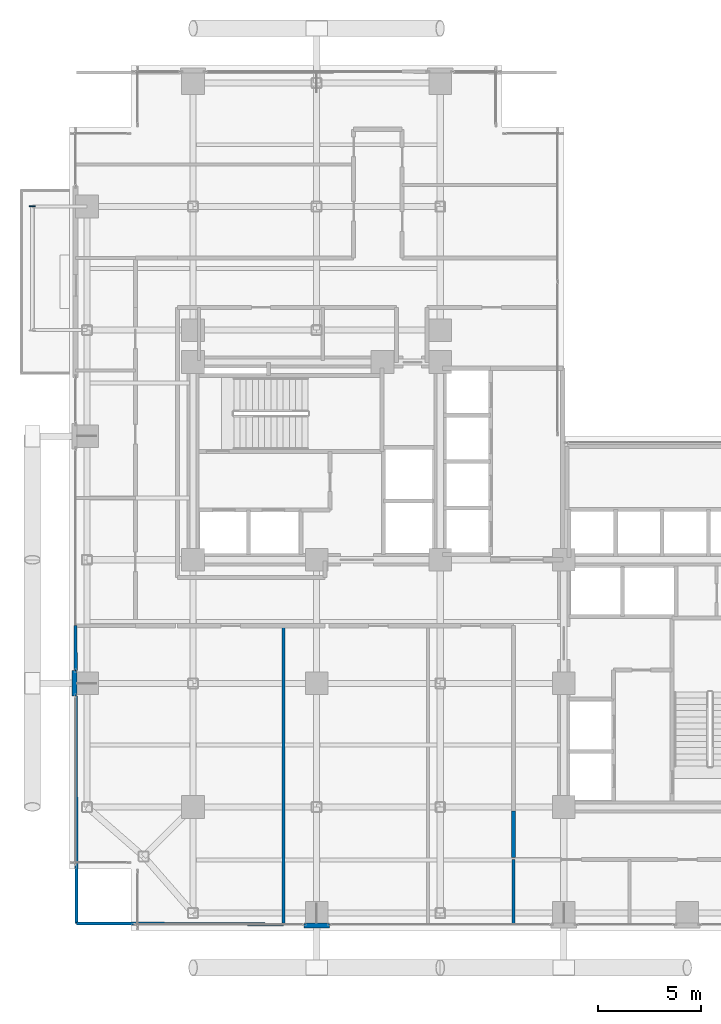
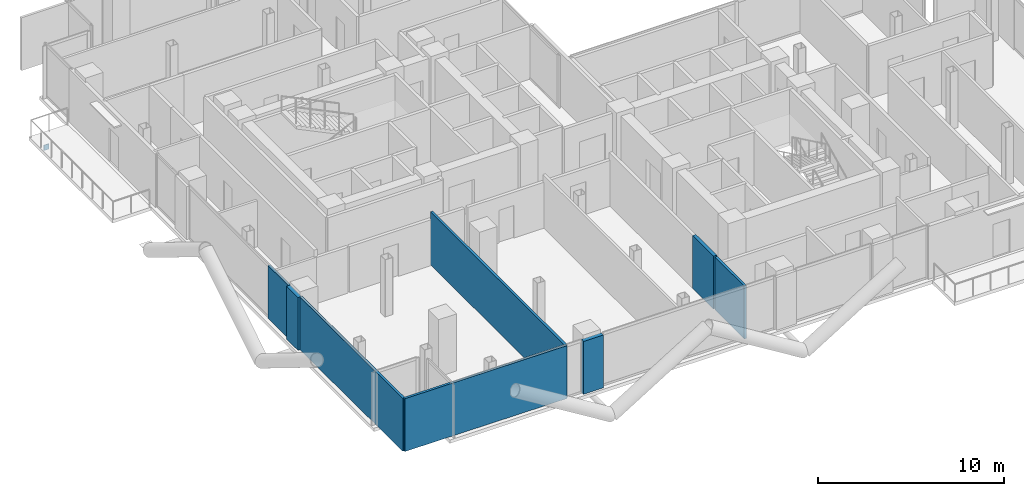
# One storey, part 21 of 28: 8 walls, 1 plate.
"""IFC4 building model written with IfcOpenShell, lengths in metres."""

from ifc_helpers import new_model, si_unit, direction, frame, frame_2d, origin, origin_2d, place, context, subcontext, project, spatial, rectangle, extrude, material, layer, layer_set, type_object, element, save


model = new_model("IFC4")

# Units and contexts
model_context = context("Model", 3, precision=1e-05, world=origin(), true_north=direction((0.0, 1.0)))
body_context = subcontext(model_context, "Body", "Model", "MODEL_VIEW")
ifc_project = project(units=[si_unit("LENGTHUNIT", "METRE"), si_unit("AREAUNIT", "SQUARE_METRE"), si_unit("VOLUMEUNIT", "CUBIC_METRE"), si_unit("PLANEANGLEUNIT", "RADIAN"), si_unit("MASSUNIT", "GRAM", prefix="KILO"), si_unit("THERMODYNAMICTEMPERATUREUNIT", "KELVIN"), si_unit("POWERUNIT", "WATT")], contexts=[model_context])

# Site, building, storey
site_placement = place(None, origin())
site = spatial("IfcSite", under=ifc_project, at=site_placement, CompositionType="ELEMENT")
building_placement = place(site_placement, origin())
building = spatial("IfcBuilding", under=site, at=building_placement, Name="Svarakhadi Broadcast Tower", CompositionType="ELEMENT")
storey_placement = place(building_placement, frame((0.0, 0.0, 107.10009765625)))
storey = spatial("IfcBuildingStorey", under=building, at=storey_placement, Name="L25", CompositionType="ELEMENT", Elevation=107.10009765625)

# Plate
ifc_material_1 = material(Name="Steel S460ML (IS 2062 E450BR)", Category="steel")
ifc_layer_1 = layer(ifc_material_1, 0.028076171875)
ifc_layer_set_1 = layer_set([ifc_layer_1], Name="Steel S460ML (IS 2062 E450BR)")
plate_type = type_object("IfcPlateType", Name="Cap_Plate_CP02", PredefinedType="USERDEFINED", material=ifc_layer_set_1)
plate_placement = place(storey_placement, frame((-1.800048828125, 35.1650390625, -0.55517578125), z_axis=(0.0, 0.0, 1.0), x_axis=(1.0, 0.0, 0.0)))
element("IfcPlate", 1, at=plate_placement, inside=storey, type_object=plate_type, Name="L25 Balcony Spandrel End Cap Plate 2F-B", ObjectType="FLANGE_PLATE", PredefinedType="USERDEFINED", context=body_context, shape_type="SweptSolid", body=[
    extrude(rectangle(XDim=0.300048828125, YDim=0.0400390625, at=origin_2d()), origin(), (0.0, 0.0, 1.0), 0.360107421875),
])

# Walls
ifc_material_2 = material(Name="Double-Stud Acoustic Studio Partition STC-62", Category="gypsum")
ifc_layer_2 = layer(ifc_material_2, 0.199951171875)
ifc_layer_set_2 = layer_set([ifc_layer_2], Name="Double-Stud Acoustic Studio Partition STC-62")
wall_type_1 = type_object("IfcWallType", Name="Wall_Acoust_200", PredefinedType="PARTITIONING", material=ifc_layer_set_2)
wall_1_placement = place(storey_placement, frame((21.550048828125, 3.550048828125, 0.0), z_axis=(0.0, 0.0, 1.0), x_axis=(0.0, 1.0, 0.0)))
element("IfcWall", 2, at=wall_1_placement, inside=storey, type_object=wall_type_1, Name="L25 Broadcast Corridor Wall", PredefinedType="PARTITIONING", context=body_context, shape_type="SweptSolid", body=[
    extrude(rectangle(XDim=2.25, YDim=0.199951171875, at=frame_2d((1.125, 0.0))), origin(), (0.0, 0.0, 1.0), 3.474853515625),
])
ifc_material_3 = material(Name="Concrete C40/50 (IS 456 M50)", Category="concrete")
ifc_layer_3 = layer(ifc_material_3, 0.239990234375)
ifc_layer_set_3 = layer_set([ifc_layer_3], Name="Concrete C40/50 (IS 456 M50)")
wall_type_2 = type_object("IfcWallType", Name="Wall_Ext_240", PredefinedType="SOLIDWALL", material=ifc_layer_set_3)
for number, where, z_axis, x_axis, name in (
    (3, (0.239990234375, 11.385009765625, 0.0), (0.0, 0.0, 1.0), (0.0, 1.0, 0.0), "L25 Perimeter Bronze Spandrel Closure Wall 01"),
    (4, (12.614990234375, 0.239990234375, 0.0), (0.0, 0.0, 1.0), (-1.0, 0.0, 0.0), "L25 Perimeter Bronze Spandrel Closure Wall 08"),
):
    element("IfcWall", number, at=place(storey_placement, frame(where, z_axis=z_axis, x_axis=x_axis)), inside=storey, type_object=wall_type_2, Name=name, PredefinedType="SOLIDWALL", context=body_context, shape_type="SweptSolid", body=[
        extrude(rectangle(XDim=1.22998046875, YDim=0.239990234375, at=frame_2d((0.614990234375, 0.0))), origin(), (0.0, 0.0, 1.0), 3.474853515625),
    ])
ifc_material_4 = material(Name="Autoclaved Aerated Concrete Blockwork 150 mm", Category="masonry")
ifc_layer_4 = layer(ifc_material_4, 0.14990234375)
ifc_layer_set_4 = layer_set([ifc_layer_4], Name="Autoclaved Aerated Concrete Blockwork 150 mm")
wall_type_3 = type_object("IfcWallType", Name="Wall_Part_150", PredefinedType="PARTITIONING", material=ifc_layer_set_4)
wall_2_placement = place(storey_placement, frame((0.35009765625, 0.35009765625, 0.0), z_axis=(0.0, 0.0, 1.0), x_axis=(0.999987599634, -0.004980017926, 0.0)))
element("IfcWall", 5, at=wall_2_placement, inside=storey, type_object=wall_type_3, Name="L25 Live Sports Commentary Production Hall Wall", PredefinedType="PARTITIONING", context=body_context, shape_type="SweptSolid", body=[
    extrude(rectangle(XDim=10.050048828125, YDim=0.14990234375, at=frame_2d((5.02490234375, 0.0))), origin(), (0.0, 0.0, 1.0), 3.474853515625),
])
wall_3_placement = place(storey_placement, frame((0.35009765625, 0.35009765625, 0.0), z_axis=(0.0, 0.0, 1.0), x_axis=(-0.003473507221, 0.999993967356, 0.0)))
element("IfcWall", 6, at=wall_3_placement, inside=storey, type_object=wall_type_3, Name="L25 Live Sports Commentary Production Hall Wall", PredefinedType="PARTITIONING", context=body_context, shape_type="SweptSolid", body=[
    extrude(rectangle(XDim=11.034912109375, YDim=0.14990234375, at=frame_2d((5.517578125, 0.0))), origin(), (0.0, 0.0, 1.0), 3.474853515625),
])
wall_4_placement = place(storey_placement, frame((0.3076171875, 12.614990234375, 0.0), z_axis=(0.0, 0.0, 1.0), x_axis=(-0.003463666374, 0.99999400149, 0.0)))
element("IfcWall", 7, at=wall_4_placement, inside=storey, type_object=wall_type_3, Name="L25 Live Sports Commentary Production Hall Wall", PredefinedType="PARTITIONING", context=body_context, shape_type="SweptSolid", body=[
    extrude(rectangle(XDim=2.18505859375, YDim=0.14990234375, at=frame_2d((1.092529296875, 0.0))), origin(), (0.0, 0.0, 1.0), 3.474853515625),
])
wall_5_placement = place(storey_placement, frame((10.39990234375, 0.300048828125, 0.0), z_axis=(0.0, 0.0, 1.0), x_axis=(0.0, 1.0, 0.0)))
element("IfcWall", 8, at=wall_5_placement, inside=storey, type_object=wall_type_3, Name="L25 Live Sports Commentary Production Hall Wall", PredefinedType="PARTITIONING", context=body_context, shape_type="SweptSolid", body=[
    extrude(rectangle(XDim=14.5, YDim=0.14990234375, at=frame_2d((7.25, 0.0))), origin(), (0.0, 0.0, 1.0), 3.474853515625),
])
wall_6_placement = place(storey_placement, frame((21.550048828125, 0.300048828125, 0.0), z_axis=(0.0, 0.0, 1.0), x_axis=(0.0, 1.0, 0.0)))
element("IfcWall", 9, at=wall_6_placement, inside=storey, type_object=wall_type_3, Name="L25 South Harbour Editorial Desk Wall", PredefinedType="PARTITIONING", context=body_context, shape_type="SweptSolid", body=[
    extrude(rectangle(XDim=3.14990234375, YDim=0.14990234375, at=frame_2d((1.574951171875, 0.0))), origin(), (0.0, 0.0, 1.0), 3.474853515625),
])

save(model, "model.ifc")
